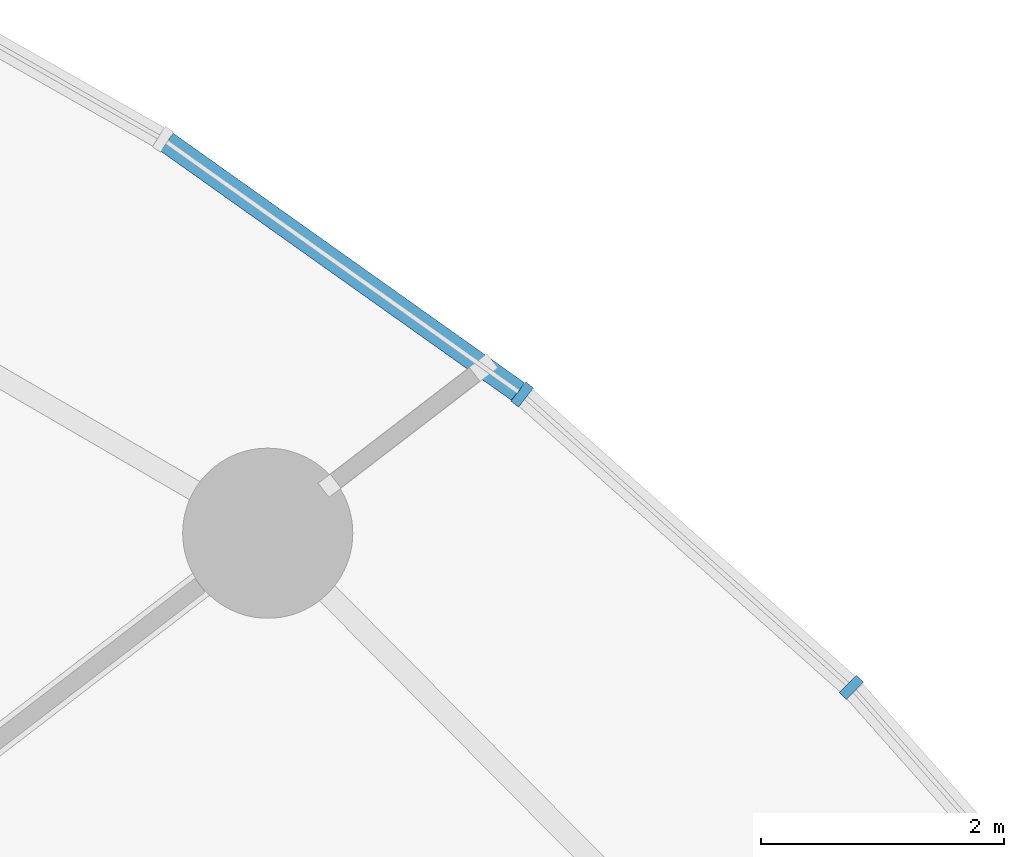
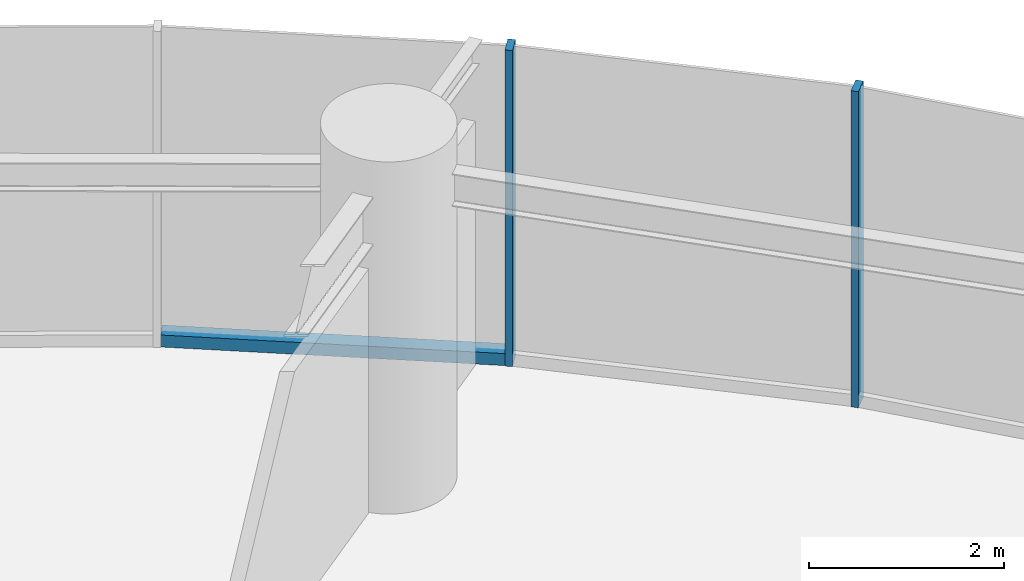
# One storey, part 9 of 19: 3 members, 2 elements without a shape of their own.
"""IFC4 building model written with IfcOpenShell, lengths in metres."""

from ifc_helpers import new_model, si_unit, direction, frame, origin, origin_2d, place, context, subcontext, project, spatial, rectangle, extrude, source, transform, mapped, material, layer, layer_set, material_profile, profile_set, type_object, element, aggregate, save


model = new_model("IFC4")

# Units and contexts
model_context = context("Model", 3, precision=1e-05, world=origin(), true_north=direction((0.0, 1.0)))
body_context = subcontext(model_context, "Body", "Model", "MODEL_VIEW")
ifc_project = project(units=[si_unit("LENGTHUNIT", "METRE"), si_unit("AREAUNIT", "SQUARE_METRE"), si_unit("VOLUMEUNIT", "CUBIC_METRE"), si_unit("PLANEANGLEUNIT", "RADIAN"), si_unit("MASSUNIT", "GRAM", prefix="KILO")], contexts=[model_context])

# Site, building, storey
site_placement = place(None, origin())
site = spatial("IfcSite", under=ifc_project, at=site_placement, CompositionType="ELEMENT")
building_placement = place(site_placement, origin())
building = spatial("IfcBuilding", under=site, at=building_placement, Name="Spindrift Exchange Tower", CompositionType="ELEMENT")
storey_placement = place(building_placement, frame((0.0, 0.0, 31.39990234375)))
storey = spatial("IfcBuildingStorey", under=building, at=storey_placement, Name="L07", CompositionType="ELEMENT", Elevation=31.39990234375)

# Curtain wall, member
ifc_material_1 = material(Name="Fritted laminated glass with bronze frame", Category="glass")
ifc_layer = layer(ifc_material_1, 0.199951171875)
ifc_layer_set = layer_set([ifc_layer], Name="ZONE 1 BRONZE FRITTED WALL")
curtain_wall_type = type_object("IfcCurtainWallType", Name="ZONE 1 BRONZE FRITTED WALL", PredefinedType="NOTDEFINED", material=ifc_layer_set)
curtain_wall_1_placement = place(storey_placement, origin())
curtain_wall_1 = element("IfcCurtainWall", 1, at=curtain_wall_1_placement, inside=storey, type_object=curtain_wall_type, Name="L07 Zone 1 Bronze Fritted Wall run 2", PredefinedType="NOTDEFINED")
ifc_material_2 = material(Name="Bronze anodised aluminium", Category="aluminium")
ifc_material_profile_1 = material_profile(ifc_material_2, rectangle(XDim=0.179931640625, YDim=0.14990234375, at=origin_2d()), Name="ZONE 1 BRONZE FRITTED WALL TRANSOM 180X150")
ifc_profile_set_1 = profile_set([ifc_material_profile_1], Name="Bronze anodised aluminium")
member_type_1 = type_object("IfcMemberType", Name="ZONE 1 BRONZE FRITTED WALL TRANSOM 180X150", PredefinedType="USERDEFINED", material=ifc_profile_set_1)
shared_shape_1 = source(origin(), body_context, "Body", "SweptSolid", [
    extrude(rectangle(XDim=0.179931640625, YDim=0.14990234375, at=origin_2d()), origin(), (0.0, 0.0, 1.0), 3.54638671875),
])
member_1_placement = place(storey_placement, frame((79.897216796875, 68.98876953125, 0.0751953125), z_axis=(-0.815270210221, 0.579080723497, 0.0), x_axis=(-0.579080723497, -0.815270210221, 0.0)))
member_1 = element("IfcMember", 2, at=member_1_placement, type_object=member_type_1, Name="L07 transom CW-1.7", ObjectType="TRANSOM", PredefinedType="USERDEFINED", context=body_context, shape_type="MappedRepresentation", body=[
    mapped(shared_shape_1, transform((0.0, 0.0, 0.0), scale=1.0)),
])

curtain_wall_2_placement = place(storey_placement, origin())
curtain_wall_2 = element("IfcCurtainWall", 3, at=curtain_wall_2_placement, inside=storey, type_object=curtain_wall_type, Name="L07 Zone 1 Bronze Fritted Wall run 1", PredefinedType="NOTDEFINED")
ifc_material_profile_2 = material_profile(ifc_material_2, rectangle(XDim=0.080078125, YDim=0.199951171875, at=origin_2d()), Name="ZONE 1 BRONZE FRITTED WALL MULLION 80X200")
ifc_profile_set_2 = profile_set([ifc_material_profile_2], Name="Bronze anodised aluminium")
member_type_2 = type_object("IfcMemberType", Name="ZONE 1 BRONZE FRITTED WALL MULLION 80X200", PredefinedType="MULLION", material=ifc_profile_set_2)
shared_shape_2 = source(origin(), body_context, "Body", "SweptSolid", [
    extrude(rectangle(XDim=0.080078125, YDim=0.199951171875, at=origin_2d()), origin(), (0.0, 0.0, 1.0), 3.9501953125),
])
member_2_placement = place(storey_placement, frame((82.638916015625, 66.55517578125, 0.0), z_axis=(0.0, 0.0, 1.0), x_axis=(-0.706136845081, 0.708075388655, 0.0)))
member_2 = element("IfcMember", 4, at=member_2_placement, type_object=member_type_2, Name="L07 mullion CW-1.6", PredefinedType="MULLION", context=body_context, shape_type="MappedRepresentation", body=[
    mapped(shared_shape_2, transform((0.0, 0.0, 0.0), scale=1.0)),
])
aggregate(curtain_wall_2, [member_2])

# Member
member_3_placement = place(storey_placement, frame((79.9296875, 68.965576171875, 0.0), z_axis=(0.0, 0.0, 1.0), x_axis=(-0.782344551356, 0.622845890219, 0.0)))
member_3 = element("IfcMember", 5, at=member_3_placement, type_object=member_type_2, Name="L07 mullion CW-1.7", PredefinedType="MULLION", context=body_context, shape_type="MappedRepresentation", body=[
    mapped(shared_shape_2, transform((0.0, 0.0, 0.0), scale=1.0)),
])

aggregate(curtain_wall_1, [member_3, member_1])

save(model, "model.ifc")
